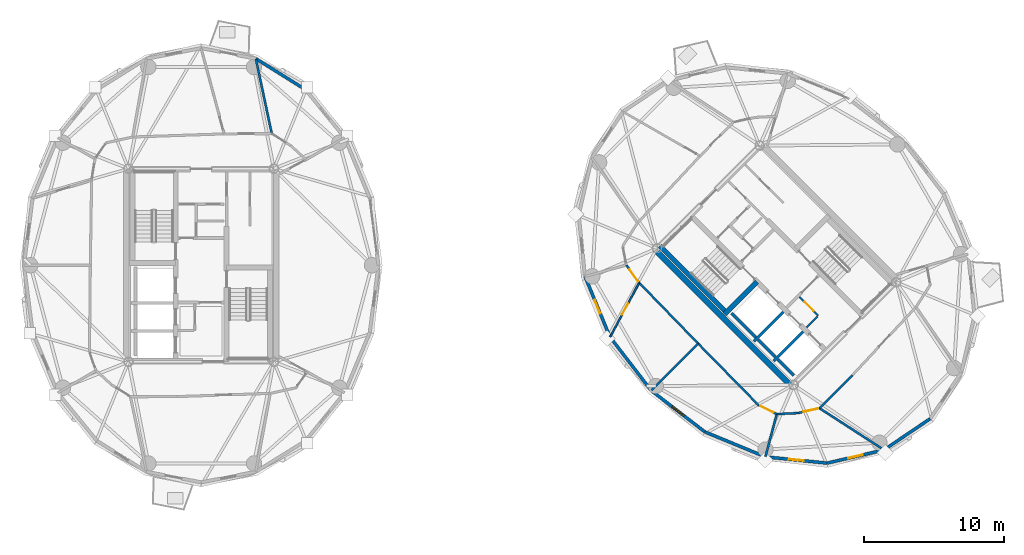
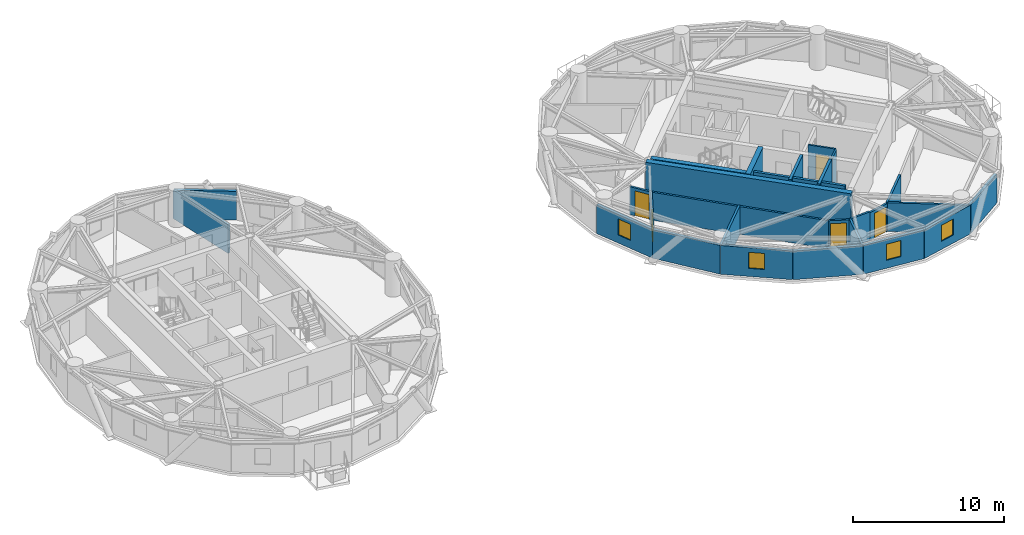
# One storey, part 10 of 16: 30 walls, 5 doors, 4 windows, 9 openings.
"""IFC4 building model written with IfcOpenShell, lengths in metres."""

from ifc_helpers import new_model, si_unit, direction, frame, frame_2d, origin, place, context, subcontext, project, spatial, rectangle, extrude, source, transform, mapped, material, layer, layer_set, type_object, element, fill, save


model = new_model("IFC4")

# Units and contexts
model_context = context("Model", 3, precision=1e-05, world=origin(), true_north=direction((0.0, 1.0)))
body_context = subcontext(model_context, "Body", "Model", "MODEL_VIEW")
ifc_project = project(units=[si_unit("LENGTHUNIT", "METRE"), si_unit("AREAUNIT", "SQUARE_METRE"), si_unit("VOLUMEUNIT", "CUBIC_METRE"), si_unit("PLANEANGLEUNIT", "RADIAN"), si_unit("MASSUNIT", "GRAM", prefix="KILO")], contexts=[model_context])

# Site, building, storey
site_placement = place(None, origin())
site = spatial("IfcSite", under=ifc_project, at=site_placement, CompositionType="ELEMENT")
building_placement = place(site_placement, origin())
building = spatial("IfcBuilding", under=site, at=building_placement, Name="Cununo Teusaquillo Station Towers", CompositionType="ELEMENT")
storey_placement = place(building_placement, frame((0.0, 0.0, 208.300048828125)))
storey = spatial("IfcBuildingStorey", under=building, at=storey_placement, Name="L66", CompositionType="ELEMENT", Elevation=208.300048828125)

# Walls
ifc_material_1 = material(Name="Concrete C50/60", Category="concrete")
ifc_layer_1 = layer(ifc_material_1, 0.199951171875)
ifc_layer_set_1 = layer_set([ifc_layer_1], Name="Concrete C50/60")
wall_type_1 = type_object("IfcWallType", Name="WL-CORE-200", PredefinedType="SHEAR", material=ifc_layer_set_1)
wall_1_placement = place(storey_placement, frame((55.8876953125, 19.0693359375, 0.0), z_axis=(0.0, 0.0, 1.0), x_axis=(0.707106781187, 0.707106781187, 0.0)))
element("IfcWall", 1, at=wall_1_placement, inside=storey, type_object=wall_type_1, Name="L66 Tower B Firefighting Lift Shaft South Shear Wall", PredefinedType="SHEAR", context=body_context, shape_type="SweptSolid", body=[
    extrude(rectangle(XDim=2.969970703125, YDim=0.199951171875, at=frame_2d((1.48486328125, 0.0))), origin(), (0.0, 0.0, 1.0), 2.909912109375),
])
wall_2_placement = place(storey_placement, frame((56.01513671875, 19.366455078125, 0.0), z_axis=(0.0, 0.0, 1.0), x_axis=(-0.707106781187, 0.707106781187, 0.0)))
element("IfcWall", 2, at=wall_2_placement, inside=storey, type_object=wall_type_1, Name="L66 Tower B Firefighting Lift Shaft Rear Shear Wall", PredefinedType="SHEAR", context=body_context, shape_type="SweptSolid", body=[
    extrude(rectangle(XDim=2.43994140625, YDim=0.199951171875, at=frame_2d((1.219970703125, 0.0))), origin(), (0.0, 0.0, 1.0), 2.909912109375),
])
wall_3_placement = place(storey_placement, frame((57.2841796875, 17.6728515625, 0.0), z_axis=(0.0, 0.0, 1.0), x_axis=(0.707147878904, 0.70706568108, 0.0)))
element("IfcWall", 3, at=wall_3_placement, inside=storey, type_object=wall_type_1, Name="L66 Tower B High-Rise Lift Hoistway Divider Shear Wall", PredefinedType="SHEAR", context=body_context, shape_type="SweptSolid", body=[
    extrude(rectangle(XDim=2.97021484375, YDim=0.199951171875, at=frame_2d((1.485107421875, 0.0))), origin(), (0.0, 0.0, 1.0), 2.909912109375),
])
wall_4_placement = place(storey_placement, frame((57.41162109375, 17.969970703125, 0.0), z_axis=(0.0, 0.0, 1.0), x_axis=(-0.707106781187, 0.707106781187, 0.0)))
element("IfcWall", 4, at=wall_4_placement, inside=storey, type_object=wall_type_1, Name="L66 Tower B High-Rise Lift 2 Shaft Rear Shear Wall", PredefinedType="SHEAR", context=body_context, shape_type="SweptSolid", body=[
    extrude(rectangle(XDim=1.73486328125, YDim=0.199951171875, at=frame_2d((0.867431640625, 0.0))), origin(), (0.0, 0.0, 1.0), 2.909912109375),
])
wall_5_placement = place(storey_placement, frame((58.7373046875, 16.64404296875, 0.0), z_axis=(0.0, 0.0, 1.0), x_axis=(-0.707032117043, 0.707181437447, 0.0)))
element("IfcWall", 5, at=wall_5_placement, inside=storey, type_object=wall_type_1, Name="L66 Tower B High-Rise Lift 1 Shaft Rear Shear Wall", PredefinedType="SHEAR", context=body_context, shape_type="SweptSolid", body=[
    extrude(rectangle(XDim=1.635009765625, YDim=0.199951171875, at=frame_2d((0.8173828125, 0.0))), origin(), (0.0, 0.0, 1.0), 2.909912109375),
])
ifc_material_2 = material(Name="Concrete C50/60", Category="concrete")
ifc_layer_2 = layer(ifc_material_2, 0.35009765625)
ifc_layer_set_2 = layer_set([ifc_layer_2], Name="Concrete C50/60")
wall_type_2 = type_object("IfcWallType", Name="WL-CORE-350", PredefinedType="SHEAR", material=ifc_layer_set_2)
wall_6_placement = place(storey_placement, frame((53.922119140625, 21.14111328125, 0.0), z_axis=(0.0, 0.0, 1.0), x_axis=(-0.707106781187, 0.707106781187, 0.0)))
element("IfcWall", 6, at=wall_6_placement, inside=storey, type_object=wall_type_2, Name="L66 Tower B Core Shear Wall ST1W", PredefinedType="SHEAR", context=body_context, shape_type="SweptSolid", body=[
    extrude(rectangle(XDim=6.695068359375, YDim=0.35009765625, at=frame_2d((3.34765625, 0.0))), origin(), (0.0, 0.0, 1.0), 2.909912109375),
])
wall_7_placement = place(storey_placement, frame((53.7841796875, 21.00341796875, 0.0), z_axis=(0.0, 0.0, 1.0), x_axis=(0.707106781187, 0.707106781187, 0.0)))
element("IfcWall", 7, at=wall_7_placement, inside=storey, type_object=wall_type_2, Name="L66 Tower B Core Shear Wall ST1S", PredefinedType="SHEAR", context=body_context, shape_type="SweptSolid", body=[
    extrude(rectangle(XDim=3.284912109375, YDim=0.35009765625, at=frame_2d((1.642578125, 0.0))), origin(), (0.0, 0.0, 1.0), 2.909912109375),
])
ifc_material_3 = material(Name="Concrete C50/60", Category="concrete")
ifc_layer_3 = layer(ifc_material_3, 0.39990234375)
ifc_layer_set_3 = layer_set([ifc_layer_3], Name="Concrete C50/60")
wall_type_3 = type_object("IfcWallType", Name="WL-CORE-400", PredefinedType="SHEAR", material=ifc_layer_set_3)
wall_8_placement = place(storey_placement, frame((58.7021484375, 15.73193359375, 0.0), z_axis=(0.0, 0.0, 1.0), x_axis=(-0.707106781187, 0.707106781187, 0.0)))
element("IfcWall", 8, at=wall_8_placement, inside=storey, type_object=wall_type_3, Name="L66 Tower B Core Shear Wall W", PredefinedType="SHEAR", context=body_context, shape_type="SweptSolid", body=[
    extrude(rectangle(XDim=14.10009765625, YDim=0.39990234375, at=frame_2d((7.050048828125, 0.0))), origin(), (0.0, 0.0, 1.0), 2.909912109375),
])
ifc_material_4 = material(Name="Precast concrete C40/50", Category="concrete")
ifc_layer_4 = layer(ifc_material_4, 0.219970703125)
ifc_layer_set_4 = layer_set([ifc_layer_4], Name="Precast concrete C40/50")
wall_type_4 = type_object("IfcWallType", Name="WL-EXT-220", PredefinedType="SOLIDWALL", material=ifc_layer_set_4)
wall_9_placement = place(storey_placement, frame((20.40283203125, 39.212890625, 0.0), z_axis=(0.0, 0.0, 1.0), x_axis=(0.848318713376, -0.529485939886, 0.0)))
element("IfcWall", 9, at=wall_9_placement, inside=storey, type_object=wall_type_4, Name="L66 Tower A Exterior Facade Wall C03", PredefinedType="SOLIDWALL", context=body_context, shape_type="SweptSolid", body=[
    extrude(rectangle(XDim=4.150390625, YDim=0.219970703125, at=frame_2d((2.0751953125, 0.0))), origin(), (0.0, 0.0, 1.0), 2.322021484375),
])

# Wall, opening, window
wall_10_placement = place(storey_placement, frame((45.626220703125, 19.38671875, 0.0), z_axis=(0.0, 0.0, 1.0), x_axis=(-0.381309704956, 0.924447353237, 0.0)))
wall_10 = element("IfcWall", 10, at=wall_10_placement, inside=storey, type_object=wall_type_4, Name="L66 Tower B Exterior Facade Wall C08", PredefinedType="SOLIDWALL", context=body_context, shape_type="SweptSolid", body=[
    extrude(rectangle(XDim=4.670654296875, YDim=0.219970703125, at=frame_2d((2.33544921875, 0.0))), origin(), (0.0, 0.0, 1.0), 2.322021484375),
])
shared_shape_1 = source(origin(), body_context, "Body", "SweptSolid", [
    extrude(rectangle(XDim=1.050048828125, YDim=1.300048828125, at=frame_2d((0.52490234375, 0.64990234375))), frame((0.0, 0.119873046875, 0.0), z_axis=(0.0, -1.0, 0.0), x_axis=(1.0, 0.0, 0.0)), (0.0, 0.0, 1.0), 0.239990234375),
])
opening_1_placement = place(wall_10_placement, frame((1.81005859375, 0.0, 0.64990234375)))
opening_1 = element("IfcOpeningElement", 11, at=opening_1_placement, cuts=wall_10, Name="Opening WN-04", PredefinedType="OPENING", context=body_context, shape_type="MappedRepresentation", body=[
    mapped(shared_shape_1, transform((0.0, 0.0, 0.0), x_axis=(1.0, 0.0, 0.0), y_axis=(0.0, 1.0, 0.0), z_axis=(0.0, 0.0, 1.0), scale=1.0)),
])
ifc_material_5 = material(Name="Operable acoustic tinted low-E double glazing", Category="glass")
window_type = type_object("IfcWindowType", Name="WIN-BAL-1050", PartitioningType="SINGLE_PANEL", PredefinedType="WINDOW", material=ifc_material_5)
shared_shape_2 = source(origin(), body_context, "Body", "SweptSolid", [
    extrude(rectangle(XDim=1.050048828125, YDim=1.300048828125, at=frame_2d((0.52490234375, 0.64990234375))), frame((0.0, 0.030029296875, 0.0), z_axis=(0.0, -1.0, 0.0), x_axis=(1.0, 0.0, 0.0)), (0.0, 0.0, 1.0), 0.06005859375),
])
window_1_placement = place(opening_1_placement, origin())
window_1 = element("IfcWindow", 12, at=window_1_placement, inside=storey, type_object=window_type, Name="L66 Tower B Facade Window C08", OverallHeight=1.300048828125, OverallWidth=1.050048828125, PartitioningType="SINGLE_PANEL", PredefinedType="WINDOW", context=body_context, shape_type="MappedRepresentation", body=[
    mapped(shared_shape_2, transform((0.0, 0.0, 0.0), x_axis=(1.0, 0.0, 0.0), y_axis=(0.0, 1.0, 0.0), z_axis=(0.0, 0.0, 1.0), scale=1.0)),
])
fill(opening_1, window_1)

# Wall
wall_11_placement = place(storey_placement, frame((48.569091796875, 15.569091796875, 0.0), z_axis=(0.0, 0.0, 1.0), x_axis=(-0.610523083886, 0.791998462147, 0.0)))
element("IfcWall", 13, at=wall_11_placement, inside=storey, type_object=wall_type_4, Name="L66 Tower B Exterior Facade Wall C09", PredefinedType="SOLIDWALL", context=body_context, shape_type="SweptSolid", body=[
    extrude(rectangle(XDim=4.8203125, YDim=0.219970703125, at=frame_2d((2.41015625, 0.0))), origin(), (0.0, 0.0, 1.0), 2.322021484375),
])

# Wall, opening, window
wall_12_placement = place(storey_placement, frame((52.38671875, 12.626220703125, 0.0), z_axis=(0.0, 0.0, 1.0), x_axis=(-0.791998462147, 0.610523083886, 0.0)))
wall_12 = element("IfcWall", 14, at=wall_12_placement, inside=storey, type_object=wall_type_4, Name="L66 Tower B Exterior Facade Wall C10", PredefinedType="SOLIDWALL", context=body_context, shape_type="SweptSolid", body=[
    extrude(rectangle(XDim=4.8203125, YDim=0.219970703125, at=frame_2d((2.41015625, 0.0))), origin(), (0.0, 0.0, 1.0), 2.322021484375),
])
opening_2_placement = place(wall_12_placement, frame((1.885009765625, 0.0, 0.64990234375)))
opening_2 = element("IfcOpeningElement", 15, at=opening_2_placement, cuts=wall_12, Name="Opening WN-04", PredefinedType="OPENING", context=body_context, shape_type="MappedRepresentation", body=[
    mapped(shared_shape_1, transform((0.0, 0.0, 0.0), x_axis=(1.0, 0.0, 0.0), y_axis=(0.0, 1.0, 0.0), z_axis=(0.0, 0.0, 1.0), scale=1.0)),
])
window_2_placement = place(opening_2_placement, origin())
window_2 = element("IfcWindow", 16, at=window_2_placement, inside=storey, type_object=window_type, Name="L66 Tower B Facade Window C10", OverallHeight=1.300048828125, OverallWidth=1.050048828125, PartitioningType="SINGLE_PANEL", PredefinedType="WINDOW", context=body_context, shape_type="MappedRepresentation", body=[
    mapped(shared_shape_2, transform((0.0, 0.0, 0.0), x_axis=(1.0, 0.0, 0.0), y_axis=(0.0, 1.0, 0.0), z_axis=(0.0, 0.0, 1.0), scale=1.0)),
])
fill(opening_2, window_2)

# Wall
wall_13_placement = place(storey_placement, frame((56.70458984375, 10.84521484375, 0.0), z_axis=(0.0, 0.0, 1.0), x_axis=(-0.924447353237, 0.381309704956, 0.0)))
element("IfcWall", 17, at=wall_13_placement, inside=storey, type_object=wall_type_4, Name="L66 Tower B Exterior Facade Wall C11", PredefinedType="SOLIDWALL", context=body_context, shape_type="SweptSolid", body=[
    extrude(rectangle(XDim=4.670654296875, YDim=0.219970703125, at=frame_2d((2.33544921875, 0.0))), origin(), (0.0, 0.0, 1.0), 2.322021484375),
])

# Wall, opening, window
wall_14_placement = place(storey_placement, frame((61.100341796875, 10.40087890625, 0.0), z_axis=(0.0, 0.0, 1.0), x_axis=(-0.994929930991, 0.100570534541, 0.0)))
wall_14 = element("IfcWall", 18, at=wall_14_placement, inside=storey, type_object=wall_type_4, Name="L66 Tower B Exterior Facade Wall C12", PredefinedType="SOLIDWALL", context=body_context, shape_type="SweptSolid", body=[
    extrude(rectangle(XDim=4.418212890625, YDim=0.219970703125, at=frame_2d((2.208984375, 0.0))), origin(), (0.0, 0.0, 1.0), 2.322021484375),
])
opening_3_placement = place(wall_14_placement, frame((1.68408203125, 0.0, 0.64990234375)))
opening_3 = element("IfcOpeningElement", 19, at=opening_3_placement, cuts=wall_14, Name="Opening WN-04", PredefinedType="OPENING", context=body_context, shape_type="MappedRepresentation", body=[
    mapped(shared_shape_1, transform((0.0, 0.0, 0.0), x_axis=(1.0, 0.0, 0.0), y_axis=(0.0, 1.0, 0.0), z_axis=(0.0, 0.0, 1.0), scale=1.0)),
])
window_3_placement = place(opening_3_placement, origin())
window_3 = element("IfcWindow", 20, at=window_3_placement, inside=storey, type_object=window_type, Name="L66 Tower B Facade Window C12", OverallHeight=1.300048828125, OverallWidth=1.050048828125, PartitioningType="SINGLE_PANEL", PredefinedType="WINDOW", context=body_context, shape_type="MappedRepresentation", body=[
    mapped(shared_shape_2, transform((0.0, 0.0, 0.0), x_axis=(1.0, 0.0, 0.0), y_axis=(0.0, 1.0, 0.0), z_axis=(0.0, 0.0, 1.0), scale=1.0)),
])
fill(opening_3, window_3)

wall_15_placement = place(storey_placement, frame((65.143798828125, 11.336669921875, 0.0), z_axis=(0.0, 0.0, 1.0), x_axis=(-0.974249228678, -0.225473813158, 0.0)))
wall_15 = element("IfcWall", 21, at=wall_15_placement, inside=storey, type_object=wall_type_4, Name="L66 Tower B Exterior Facade Wall C13", PredefinedType="SOLIDWALL", context=body_context, shape_type="SweptSolid", body=[
    extrude(rectangle(XDim=4.150390625, YDim=0.219970703125, at=frame_2d((2.0751953125, 0.0))), origin(), (0.0, 0.0, 1.0), 2.322021484375),
])
opening_4_placement = place(wall_15_placement, frame((1.550048828125, 0.0, 0.64990234375)))
opening_4 = element("IfcOpeningElement", 22, at=opening_4_placement, cuts=wall_15, Name="Opening WN-04", PredefinedType="OPENING", context=body_context, shape_type="MappedRepresentation", body=[
    mapped(shared_shape_1, transform((0.0, 0.0, 0.0), x_axis=(1.0, 0.0, 0.0), y_axis=(0.0, 1.0, 0.0), z_axis=(0.0, 0.0, 1.0), scale=1.0)),
])
window_4_placement = place(opening_4_placement, origin())
window_4 = element("IfcWindow", 23, at=window_4_placement, inside=storey, type_object=window_type, Name="L66 Tower B Facade Window C13", OverallHeight=1.300048828125, OverallWidth=1.050048828125, PartitioningType="SINGLE_PANEL", PredefinedType="WINDOW", context=body_context, shape_type="MappedRepresentation", body=[
    mapped(shared_shape_2, transform((0.0, 0.0, 0.0), x_axis=(1.0, 0.0, 0.0), y_axis=(0.0, 1.0, 0.0), z_axis=(0.0, 0.0, 1.0), scale=1.0)),
])
fill(opening_4, window_4)

# Wall
wall_16_placement = place(storey_placement, frame((68.43896484375, 13.56103515625, 0.0), z_axis=(0.0, 0.0, 1.0), x_axis=(-0.828833723692, -0.559495003079, 0.0)))
element("IfcWall", 24, at=wall_16_placement, inside=storey, type_object=wall_type_4, Name="L66 Tower B Exterior Facade Wall C14", PredefinedType="SOLIDWALL", context=body_context, shape_type="SweptSolid", body=[
    extrude(rectangle(XDim=3.9755859375, YDim=0.219970703125, at=frame_2d((1.98779296875, 0.0))), origin(), (0.0, 0.0, 1.0), 2.322021484375),
])

# Wall, opening, door
ifc_material_6 = material(Name="Fire-rated gypsum plasterboard partition assembly", Category="gypsum")
ifc_layer_5 = layer(ifc_material_6, 0.125)
ifc_layer_set_5 = layer_set([ifc_layer_5], Name="Fire-rated gypsum plasterboard partition assembly")
wall_type_5 = type_object("IfcWallType", Name="WL-PART-125", PredefinedType="PARTITIONING", material=ifc_layer_set_5)
wall_17_placement = place(storey_placement, frame((60.448486328125, 20.9150390625, 0.0), z_axis=(0.0, 0.0, 1.0), x_axis=(-0.707106781187, 0.707106781187, 0.0)))
wall_17 = element("IfcWall", 25, at=wall_17_placement, inside=storey, type_object=wall_type_5, Name="L66 Tower B North-West Lobby Store East Wall", PredefinedType="PARTITIONING", context=body_context, shape_type="SweptSolid", body=[
    extrude(rectangle(XDim=1.869873046875, YDim=0.125, at=frame_2d((0.93505859375, 0.0))), origin(), (0.0, 0.0, 1.0), 2.68505859375),
])
shared_shape_3 = source(origin(), body_context, "Body", "SweptSolid", [
    extrude(rectangle(XDim=0.89990234375, YDim=2.0048828125, at=frame_2d((0.449951171875, 1.00244140625))), frame((0.0, 0.072509765625, 0.0), z_axis=(0.0, -1.0, 0.0), x_axis=(1.0, 0.0, 0.0)), (0.0, 0.0, 1.0), 0.14501953125),
])
opening_5_placement = place(wall_17_placement, frame((0.449951171875, 0.0, 0.0)))
opening_5 = element("IfcOpeningElement", 26, at=opening_5_placement, cuts=wall_17, Name="Opening D-SR1", PredefinedType="OPENING", context=body_context, shape_type="MappedRepresentation", body=[
    mapped(shared_shape_3, transform((0.0, 0.0, 0.0), x_axis=(1.0, 0.0, 0.0), y_axis=(0.0, 1.0, 0.0), z_axis=(0.0, 0.0, 1.0), scale=1.0)),
])
ifc_material_7 = material(Name="Galvanised fire-rated hollow steel door assembly", Category="steel")
door_type_1 = type_object("IfcDoorType", Name="DR-STORE-900", OperationType="NOTDEFINED", PredefinedType="DOOR", material=ifc_material_7)
shared_shape_4 = source(origin(), body_context, "Body", "SweptSolid", [
    extrude(rectangle(XDim=0.89990234375, YDim=2.0048828125, at=frame_2d((0.449951171875, 1.00244140625))), frame((0.0, 0.02490234375, 0.0), z_axis=(0.0, -1.0, 0.0), x_axis=(1.0, 0.0, 0.0)), (0.0, 0.0, 1.0), 0.050048828125),
])
door_1_placement = place(opening_5_placement, origin())
door_1 = element("IfcDoor", 27, at=door_1_placement, inside=storey, type_object=door_type_1, Name="L66 Tower B South Lobby Data Store Door", OperationType="SINGLE_SWING_LEFT", OverallHeight=2.0048828125, OverallWidth=0.89990234375, PredefinedType="DOOR", context=body_context, shape_type="MappedRepresentation", body=[
    mapped(shared_shape_4, transform((0.0, 0.0, 0.0), x_axis=(1.0, 0.0, 0.0), y_axis=(0.0, 1.0, 0.0), z_axis=(0.0, 0.0, 1.0), scale=1.0)),
])
fill(opening_5, door_1)

# Wall
wall_18_placement = place(storey_placement, frame((59.642578125, 20.06640625, 0.0), z_axis=(0.0, 0.0, 1.0), x_axis=(0.707106781187, 0.707106781187, 0.0)))
element("IfcWall", 28, at=wall_18_placement, inside=storey, type_object=wall_type_5, Name="L66 Tower B North-West Lobby Store South Wall", PredefinedType="PARTITIONING", context=body_context, shape_type="SweptSolid", body=[
    extrude(rectangle(XDim=1.10009765625, YDim=0.125, at=frame_2d((0.550048828125, 0.0))), origin(), (0.0, 0.0, 1.0), 2.68505859375),
])

# Wall, opening, door
wall_19_placement = place(storey_placement, frame((47.70556640625, 23.253173828125, 0.0), z_axis=(0.0, 0.0, 1.0), x_axis=(-0.471384756618, -0.881927667799, 0.0)))
wall_19 = element("IfcWall", 29, at=wall_19_placement, inside=storey, type_object=wall_type_5, Name="L66 Tower B Visiting Envoy Briefing Room Suite Subdividing Wall", PredefinedType="PARTITIONING", context=body_context, shape_type="SweptSolid", body=[
    extrude(rectangle(XDim=4.373779296875, YDim=0.125, at=frame_2d((2.18701171875, 0.0))), origin(), (0.0, 0.0, 1.0), 2.2548828125),
])
opening_6_placement = place(wall_19_placement, frame((1.673828125, 0.0, 0.0)))
opening_6 = element("IfcOpeningElement", 30, at=opening_6_placement, cuts=wall_19, Name="Opening D-IN1", PredefinedType="OPENING", context=body_context, shape_type="MappedRepresentation", body=[
    mapped(shared_shape_3, transform((0.0, 0.0, 0.0), x_axis=(1.0, 0.0, 0.0), y_axis=(0.0, 1.0, 0.0), z_axis=(0.0, 0.0, 1.0), scale=1.0)),
])
ifc_material_8 = material(Name="Acoustic solid-core hardwood leaf assembly", Category="wood")
door_type_2 = type_object("IfcDoorType", Name="DR-INT-900", OperationType="NOTDEFINED", PredefinedType="DOOR", material=ifc_material_8)
door_2_placement = place(opening_6_placement, origin())
door_2 = element("IfcDoor", 31, at=door_2_placement, inside=storey, type_object=door_type_2, Name="L66 Tower B Visiting Envoy Briefing Room Suite Connecting Door", OperationType="SINGLE_SWING_LEFT", OverallHeight=2.0048828125, OverallWidth=0.89990234375, PredefinedType="DOOR", context=body_context, shape_type="MappedRepresentation", body=[
    mapped(shared_shape_4, transform((0.0, 0.0, 0.0), x_axis=(1.0, 0.0, 0.0), y_axis=(0.0, 1.0, 0.0), z_axis=(0.0, 0.0, 1.0), scale=1.0)),
])
fill(opening_6, door_2)

ifc_material_9 = material(Name="Fire-rated gypsum plasterboard partition assembly", Category="gypsum")
ifc_layer_6 = layer(ifc_material_9, 0.14990234375)
ifc_layer_set_6 = layer_set([ifc_layer_6], Name="Fire-rated gypsum plasterboard partition assembly")
wall_type_6 = type_object("IfcWallType", Name="WL-PART-150", PredefinedType="PARTITIONING", material=ifc_layer_set_6)
wall_20_placement = place(storey_placement, frame((46.79541015625, 24.512939453125, 0.0), z_axis=(0.0, 0.0, 1.0), x_axis=(0.585628197524, -0.810579801294, 0.0)))
wall_20 = element("IfcWall", 32, at=wall_20_placement, inside=storey, type_object=wall_type_6, Name="L66 Tower B Corridor Ring Wall C08", PredefinedType="PARTITIONING", context=body_context, shape_type="SweptSolid", body=[
    extrude(rectangle(XDim=1.55419921875, YDim=0.14990234375, at=frame_2d((0.777099609375, 0.0))), origin(), (0.0, 0.0, 1.0), 2.2548828125),
])
shared_shape_5 = source(origin(), body_context, "Body", "SweptSolid", [
    extrude(rectangle(XDim=1.050048828125, YDim=2.014892578125, at=frame_2d((0.52490234375, 1.00732421875))), frame((0.0, 0.0849609375, 0.0), z_axis=(0.0, -1.0, 0.0), x_axis=(1.0, 0.0, 0.0)), (0.0, 0.0, 1.0), 0.169921875),
])
opening_7_placement = place(wall_20_placement, frame((0.384033203125, 0.0, 0.0)))
opening_7 = element("IfcOpeningElement", 33, at=opening_7_placement, cuts=wall_20, Name="Opening D-SU1", PredefinedType="OPENING", context=body_context, shape_type="MappedRepresentation", body=[
    mapped(shared_shape_5, transform((0.0, 0.0, 0.0), x_axis=(1.0, 0.0, 0.0), y_axis=(0.0, 1.0, 0.0), z_axis=(0.0, 0.0, 1.0), scale=1.0)),
])
ifc_material_10 = material(Name="Acoustic solid-core hardwood leaf assembly", Category="wood")
door_type_3 = type_object("IfcDoorType", Name="DR-SUITE-1050", OperationType="NOTDEFINED", PredefinedType="DOOR", material=ifc_material_10)
shared_shape_6 = source(origin(), body_context, "Body", "SweptSolid", [
    extrude(rectangle(XDim=1.050048828125, YDim=2.014892578125, at=frame_2d((0.52490234375, 1.00732421875))), frame((0.0, 0.02490234375, 0.0), z_axis=(0.0, -1.0, 0.0), x_axis=(1.0, 0.0, 0.0)), (0.0, 0.0, 1.0), 0.050048828125),
])
door_3_placement = place(opening_7_placement, origin())
door_3 = element("IfcDoor", 34, at=door_3_placement, inside=storey, type_object=door_type_3, Name="L66 Tower B Visiting Envoy Briefing Room Entrance Door", OperationType="SINGLE_SWING_RIGHT", OverallHeight=2.014892578125, OverallWidth=1.050048828125, PredefinedType="DOOR", context=body_context, shape_type="MappedRepresentation", body=[
    mapped(shared_shape_6, transform((0.0, 0.0, 0.0), x_axis=(1.0, 0.0, 0.0), y_axis=(0.0, 1.0, 0.0), z_axis=(0.0, 0.0, 1.0), scale=1.0)),
])
fill(opening_7, door_3)

# Walls
wall_21_placement = place(storey_placement, frame((47.70556640625, 23.253173828125, 0.0), z_axis=(0.0, 0.0, 1.0), x_axis=(0.696179266346, -0.717867974707, 0.0)))
element("IfcWall", 35, at=wall_21_placement, inside=storey, type_object=wall_type_6, Name="L66 Tower B Corridor Ring Wall C09", PredefinedType="PARTITIONING", context=body_context, shape_type="SweptSolid", body=[
    extrude(rectangle(XDim=6.044677734375, YDim=0.14990234375, at=frame_2d((3.0224609375, 0.0))), origin(), (0.0, 0.0, 1.0), 2.2548828125),
])
wall_22_placement = place(storey_placement, frame((51.913818359375, 18.913818359375, 0.0), z_axis=(0.0, 0.0, 1.0), x_axis=(0.699999313799, -0.714143515465, 0.0)))
element("IfcWall", 36, at=wall_22_placement, inside=storey, type_object=wall_type_6, Name="L66 Tower B Corridor Ring Wall C10", PredefinedType="PARTITIONING", context=body_context, shape_type="SweptSolid", body=[
    extrude(rectangle(XDim=6.162109375, YDim=0.14990234375, at=frame_2d((3.0810546875, 0.0))), origin(), (0.0, 0.0, 1.0), 2.2548828125),
])

# Wall, opening, door
wall_23_placement = place(storey_placement, frame((56.227294921875, 14.51318359375, 0.0), z_axis=(0.0, 0.0, 1.0), x_axis=(0.901477579283, -0.432825801044, 0.0)))
wall_23 = element("IfcWall", 37, at=wall_23_placement, inside=storey, type_object=wall_type_6, Name="L66 Tower B Corridor Ring Wall C11", PredefinedType="PARTITIONING", context=body_context, shape_type="SweptSolid", body=[
    extrude(rectangle(XDim=1.42431640625, YDim=0.14990234375, at=frame_2d((0.712158203125, 0.0))), origin(), (0.0, 0.0, 1.0), 2.2548828125),
])
opening_8_placement = place(wall_23_placement, frame((0.1201171875, 0.0, 0.0)))
opening_8 = element("IfcOpeningElement", 38, at=opening_8_placement, cuts=wall_23, Name="Opening D-SU1", PredefinedType="OPENING", context=body_context, shape_type="MappedRepresentation", body=[
    mapped(shared_shape_5, transform((0.0, 0.0, 0.0), x_axis=(1.0, 0.0, 0.0), y_axis=(0.0, 1.0, 0.0), z_axis=(0.0, 0.0, 1.0), scale=1.0)),
])
door_4_placement = place(opening_8_placement, origin())
door_4 = element("IfcDoor", 39, at=door_4_placement, inside=storey, type_object=door_type_3, Name="L66 Tower B Fellows Research Library Entrance Door", OperationType="SINGLE_SWING_RIGHT", OverallHeight=2.014892578125, OverallWidth=1.050048828125, PredefinedType="DOOR", context=body_context, shape_type="MappedRepresentation", body=[
    mapped(shared_shape_6, transform((0.0, 0.0, 0.0), x_axis=(1.0, 0.0, 0.0), y_axis=(0.0, 1.0, 0.0), z_axis=(0.0, 0.0, 1.0), scale=1.0)),
])
fill(opening_8, door_4)

# Wall
wall_24_placement = place(storey_placement, frame((57.51123046875, 13.896728515625, 0.0), z_axis=(0.0, 0.0, 1.0), x_axis=(0.999024538494, 0.044158481476, 0.0)))
element("IfcWall", 40, at=wall_24_placement, inside=storey, type_object=wall_type_6, Name="L66 Tower B Corridor Ring Wall C12", PredefinedType="PARTITIONING", context=body_context, shape_type="SweptSolid", body=[
    extrude(rectangle(XDim=1.498291015625, YDim=0.14990234375, at=frame_2d((0.7490234375, 0.0))), origin(), (0.0, 0.0, 1.0), 2.322021484375),
])

# Wall, opening, door
wall_25_placement = place(storey_placement, frame((59.008056640625, 13.962890625, 0.0), z_axis=(0.0, 0.0, 1.0), x_axis=(0.976020856791, 0.21767702476, 0.0)))
wall_25 = element("IfcWall", 41, at=wall_25_placement, inside=storey, type_object=wall_type_6, Name="L66 Tower B Corridor Ring Wall C13", PredefinedType="PARTITIONING", context=body_context, shape_type="SweptSolid", body=[
    extrude(rectangle(XDim=1.592529296875, YDim=0.14990234375, at=frame_2d((0.79638671875, 0.0))), origin(), (0.0, 0.0, 1.0), 2.2548828125),
])
opening_9_placement = place(wall_25_placement, frame((0.4228515625, 0.0, 0.0)))
opening_9 = element("IfcOpeningElement", 42, at=opening_9_placement, cuts=wall_25, Name="Opening D-SU1", PredefinedType="OPENING", context=body_context, shape_type="MappedRepresentation", body=[
    mapped(shared_shape_5, transform((0.0, 0.0, 0.0), x_axis=(1.0, 0.0, 0.0), y_axis=(0.0, 1.0, 0.0), z_axis=(0.0, 0.0, 1.0), scale=1.0)),
])
door_5_placement = place(opening_9_placement, origin())
door_5 = element("IfcDoor", 43, at=door_5_placement, inside=storey, type_object=door_type_3, Name="L66 Tower B Summit Catering Pantry Entrance Door", OperationType="SINGLE_SWING_LEFT", OverallHeight=2.014892578125, OverallWidth=1.050048828125, PredefinedType="DOOR", context=body_context, shape_type="MappedRepresentation", body=[
    mapped(shared_shape_6, transform((0.0, 0.0, 0.0), x_axis=(1.0, 0.0, 0.0), y_axis=(0.0, 1.0, 0.0), z_axis=(0.0, 0.0, 1.0), scale=1.0)),
])
fill(opening_9, door_5)

# Walls
wall_26_placement = place(storey_placement, frame((60.5625, 14.3095703125, 0.0), z_axis=(0.0, 0.0, 1.0), x_axis=(0.704566236161, 0.709638230975, 0.0)))
element("IfcWall", 44, at=wall_26_placement, inside=storey, type_object=wall_type_6, Name="L66 Tower B Corridor Ring Wall C14", PredefinedType="PARTITIONING", context=body_context, shape_type="SweptSolid", body=[
    extrude(rectangle(XDim=3.3212890625, YDim=0.14990234375, at=frame_2d((1.66064453125, 0.0))), origin(), (0.0, 0.0, 1.0), 2.322021484375),
])
ifc_material_11 = material(Name="Fire-rated gypsum plasterboard partition assembly", Category="gypsum")
ifc_layer_7 = layer(ifc_material_11, 0.159912109375)
ifc_layer_set_7 = layer_set([ifc_layer_7], Name="Fire-rated gypsum plasterboard partition assembly")
wall_type_7 = type_object("IfcWallType", Name="WL-PART-160", PredefinedType="PARTITIONING", material=ifc_layer_set_7)
wall_27_placement = place(storey_placement, frame((21.52685546875, 33.873291015625, 0.0), z_axis=(0.0, 0.0, 1.0), x_axis=(-0.207772326864, 0.97817721308, 0.0)))
element("IfcWall", 45, at=wall_27_placement, inside=storey, type_object=wall_type_7, Name="L66 Tower A Radial Suite Partition R02", PredefinedType="PARTITIONING", context=body_context, shape_type="SweptSolid", body=[
    extrude(rectangle(XDim=5.439208984375, YDim=0.159912109375, at=frame_2d((2.7197265625, 0.0))), origin(), (0.0, 0.0, 1.0), 2.322021484375),
])
wall_28_placement = place(storey_placement, frame((51.913818359375, 18.913818359375, 0.0), z_axis=(0.0, 0.0, 1.0), x_axis=(-0.707106781187, -0.707106781187, 0.0)))
element("IfcWall", 46, at=wall_28_placement, inside=storey, type_object=wall_type_7, Name="L66 Tower B Radial Suite Partition R05", PredefinedType="PARTITIONING", context=body_context, shape_type="SweptSolid", body=[
    extrude(rectangle(XDim=4.709716796875, YDim=0.159912109375, at=frame_2d((2.35498046875, 0.0))), origin(), (0.0, 0.0, 1.0), 2.322021484375),
])
wall_29_placement = place(storey_placement, frame((57.51123046875, 13.896728515625, 0.0), z_axis=(0.0, 0.0, 1.0), x_axis=(-0.256174967125, -0.966630428974, 0.0)))
element("IfcWall", 47, at=wall_29_placement, inside=storey, type_object=wall_type_7, Name="L66 Tower B Radial Suite Partition R06", PredefinedType="PARTITIONING", context=body_context, shape_type="SweptSolid", body=[
    extrude(rectangle(XDim=3.136474609375, YDim=0.159912109375, at=frame_2d((1.568359375, 0.0))), origin(), (0.0, 0.0, 1.0), 2.322021484375),
])
wall_30_placement = place(storey_placement, frame((60.5625, 14.3095703125, 0.0), z_axis=(0.0, 0.0, 1.0), x_axis=(0.839858797161, -0.542804938105, 0.0)))
element("IfcWall", 48, at=wall_30_placement, inside=storey, type_object=wall_type_7, Name="L66 Tower B Radial Suite Partition R07", PredefinedType="PARTITIONING", context=body_context, shape_type="SweptSolid", body=[
    extrude(rectangle(XDim=5.444091796875, YDim=0.159912109375, at=frame_2d((2.72216796875, 0.0))), origin(), (0.0, 0.0, 1.0), 2.322021484375),
])

save(model, "model.ifc")
